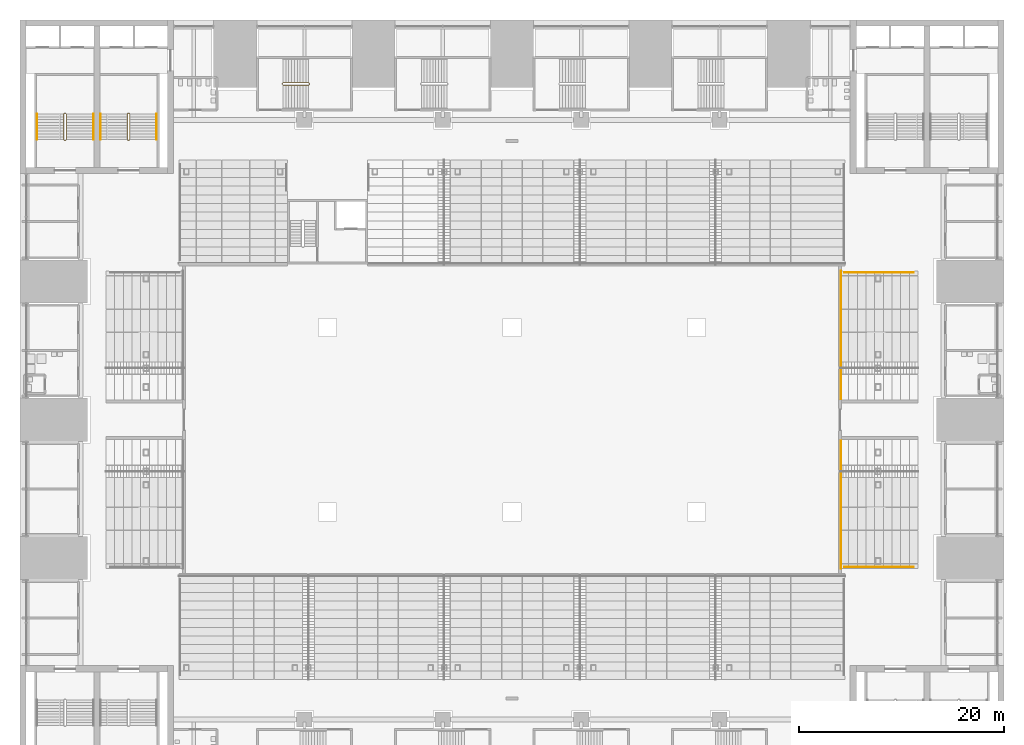
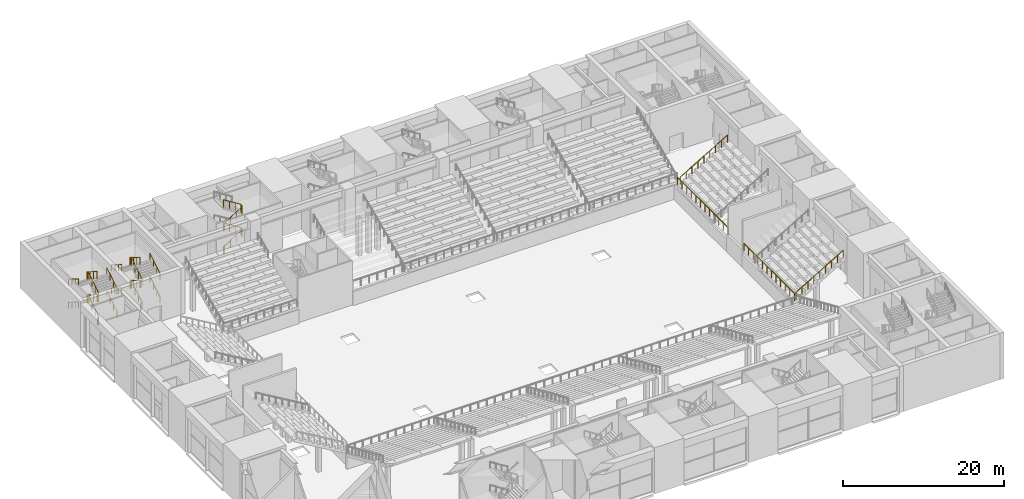
# One storey, part 59 of 62: 6 railings.
"""IFC4 building model written with IfcOpenShell, lengths in metres."""

from ifc_helpers import new_model, si_unit, direction, frame, origin, origin_2d, place, context, subcontext, project, spatial, circle, extrude, material, type_object, element, save


model = new_model("IFC4")

# Units and contexts
model_context = context("Model", 3, precision=1e-05, world=origin(), true_north=direction((0.0, 1.0)))
body_context = subcontext(model_context, "Body", "Model", "MODEL_VIEW")
ifc_project = project(units=[si_unit("LENGTHUNIT", "METRE"), si_unit("AREAUNIT", "SQUARE_METRE"), si_unit("VOLUMEUNIT", "CUBIC_METRE"), si_unit("PLANEANGLEUNIT", "RADIAN"), si_unit("MASSUNIT", "GRAM", prefix="KILO")], contexts=[model_context])

# Site, building, storey
site_placement = place(None, origin())
site = spatial("IfcSite", under=ifc_project, at=site_placement, CompositionType="ELEMENT")
building_placement = place(site_placement, origin())
building = spatial("IfcBuilding", under=site, at=building_placement, Name="Corbelhall Arena Tower", CompositionType="ELEMENT")
storey_placement = place(building_placement, frame((0.0, 0.0, 12.0)))
storey = spatial("IfcBuildingStorey", under=building, at=storey_placement, Name="L01", CompositionType="ELEMENT", Elevation=12.0)

# Railings
ifc_material_1 = material(Name="Stainless steel A4 and laminated glass", Category="steel")
railing_type_1 = type_object("IfcRailingType", Name="AR-GUARD-GLASS", PredefinedType="GUARDRAIL", material=ifc_material_1)
railing_1_placement = place(storey_placement, frame((32.10009765625, -14.5, 2.5)))
element("IfcRailing", 1, at=railing_1_placement, inside=storey, type_object=railing_type_1, Name="Tier guards LE", PredefinedType="GUARDRAIL", context=body_context, shape_type="SweptSolid", body=[
    extrude(circle(Radius=0.02392578125, at=origin_2d()), frame((0.0, 0.0, 1.076171875), z_axis=(0.0, 1.0, 0.0), x_axis=(-1.0, 0.0, 0.0)), (0.0, 0.0, 1.0), 12.489990234375),
    extrude(circle(Radius=0.02392578125, at=origin_2d()), frame((0.0, 16.510009765625, 1.076171875), z_axis=(0.0, 1.0, 0.0), x_axis=(-1.0, 0.0, 0.0)), (0.0, 0.0, 1.0), 12.489990234375),
    extrude(circle(Radius=0.02392578125, at=origin_2d()), frame((0.322509765625, 0.1201171875, 1.076171875), z_axis=(0.860614493438, 0.0, 0.509257001606), x_axis=(0.0, 1.0, 0.0)), (0.0, 0.0, 1.0), 0.98193359375),
    extrude(circle(Radius=0.02392578125, at=origin_2d()), frame((1.16748046875, 0.1201171875, 1.576171875), z_axis=(0.860614493438, 0.0, 0.509257001606), x_axis=(0.0, 1.0, 0.0)), (0.0, 0.0, 1.0), 0.98193359375),
    extrude(circle(Radius=0.02392578125, at=origin_2d()), frame((2.012451171875, 0.1201171875, 2.076171875), z_axis=(0.860614493438, 0.0, 0.509257001606), x_axis=(0.0, 1.0, 0.0)), (0.0, 0.0, 1.0), 0.98193359375),
    extrude(circle(Radius=0.02392578125, at=origin_2d()), frame((2.857421875, 0.1201171875, 2.576171875), z_axis=(0.860614493438, 0.0, 0.509257001606), x_axis=(0.0, 1.0, 0.0)), (0.0, 0.0, 1.0), 0.98193359375),
    extrude(circle(Radius=0.02392578125, at=origin_2d()), frame((3.702392578125, 0.1201171875, 3.076171875), z_axis=(0.860614493438, 0.0, 0.509257001606), x_axis=(0.0, 1.0, 0.0)), (0.0, 0.0, 1.0), 0.98193359375),
    extrude(circle(Radius=0.02392578125, at=origin_2d()), frame((4.54736328125, 0.1201171875, 3.576171875), z_axis=(0.860614493438, 0.0, 0.509257001606), x_axis=(0.0, 1.0, 0.0)), (0.0, 0.0, 1.0), 0.98193359375),
    extrude(circle(Radius=0.02392578125, at=origin_2d()), frame((5.392333984375, 0.1201171875, 4.076171875), z_axis=(0.860614493438, 0.0, 0.509257001606), x_axis=(0.0, 1.0, 0.0)), (0.0, 0.0, 1.0), 0.98193359375),
    extrude(circle(Radius=0.02392578125, at=origin_2d()), frame((6.2373046875, 0.1201171875, 4.576171875), z_axis=(0.860678961064, 0.0, 0.509148039358), x_axis=(0.0, 1.0, 0.0)), (0.0, 0.0, 1.0), 0.98193359375),
    extrude(circle(Radius=0.02392578125, at=origin_2d()), frame((0.322509765625, 28.8798828125, 1.076171875), z_axis=(0.860614493438, 0.0, 0.509257001606), x_axis=(0.0, 1.0, 0.0)), (0.0, 0.0, 1.0), 0.98193359375),
    extrude(circle(Radius=0.02392578125, at=origin_2d()), frame((1.16748046875, 28.8798828125, 1.576171875), z_axis=(0.860614493438, 0.0, 0.509257001606), x_axis=(0.0, 1.0, 0.0)), (0.0, 0.0, 1.0), 0.98193359375),
    extrude(circle(Radius=0.02392578125, at=origin_2d()), frame((2.012451171875, 28.8798828125, 2.076171875), z_axis=(0.860614493438, 0.0, 0.509257001606), x_axis=(0.0, 1.0, 0.0)), (0.0, 0.0, 1.0), 0.98193359375),
    extrude(circle(Radius=0.02392578125, at=origin_2d()), frame((2.857421875, 28.8798828125, 2.576171875), z_axis=(0.860614493438, 0.0, 0.509257001606), x_axis=(0.0, 1.0, 0.0)), (0.0, 0.0, 1.0), 0.98193359375),
    extrude(circle(Radius=0.02392578125, at=origin_2d()), frame((3.702392578125, 28.8798828125, 3.076171875), z_axis=(0.860614493438, 0.0, 0.509257001606), x_axis=(0.0, 1.0, 0.0)), (0.0, 0.0, 1.0), 0.98193359375),
    extrude(circle(Radius=0.02392578125, at=origin_2d()), frame((4.54736328125, 28.8798828125, 3.576171875), z_axis=(0.860614493438, 0.0, 0.509257001606), x_axis=(0.0, 1.0, 0.0)), (0.0, 0.0, 1.0), 0.98193359375),
    extrude(circle(Radius=0.02392578125, at=origin_2d()), frame((5.392333984375, 28.8798828125, 4.076171875), z_axis=(0.860614493438, 0.0, 0.509257001606), x_axis=(0.0, 1.0, 0.0)), (0.0, 0.0, 1.0), 0.98193359375),
    extrude(circle(Radius=0.02392578125, at=origin_2d()), frame((6.2373046875, 28.8798828125, 4.576171875), z_axis=(0.860678961064, 0.0, 0.509148039358), x_axis=(0.0, 1.0, 0.0)), (0.0, 0.0, 1.0), 0.98193359375),
    extrude(circle(Radius=0.02099609375, at=origin_2d()), origin(), (0.0, 0.0, 1.0), 1.052001953125),
    extrude(circle(Radius=0.02099609375, at=origin_2d()), frame((0.0, 1.135498046875, 0.0)), (0.0, 0.0, 1.0), 1.052001953125),
    extrude(circle(Radius=0.02099609375, at=origin_2d()), frame((0.0, 2.27099609375, 0.0)), (0.0, 0.0, 1.0), 1.052001953125),
    extrude(circle(Radius=0.02099609375, at=origin_2d()), frame((0.0, 3.40625, 0.0)), (0.0, 0.0, 1.0), 1.052001953125),
    extrude(circle(Radius=0.02099609375, at=origin_2d()), frame((0.0, 4.541748046875, 0.0)), (0.0, 0.0, 1.0), 1.052001953125),
    extrude(circle(Radius=0.02099609375, at=origin_2d()), frame((0.0, 5.67724609375, 0.0)), (0.0, 0.0, 1.0), 1.052001953125),
    extrude(circle(Radius=0.02099609375, at=origin_2d()), frame((0.0, 6.812744140625, 0.0)), (0.0, 0.0, 1.0), 1.052001953125),
    extrude(circle(Radius=0.02099609375, at=origin_2d()), frame((0.0, 7.9482421875, 0.0)), (0.0, 0.0, 1.0), 1.052001953125),
    extrude(circle(Radius=0.02099609375, at=origin_2d()), frame((0.0, 9.083740234375, 0.0)), (0.0, 0.0, 1.0), 1.052001953125),
    extrude(circle(Radius=0.02099609375, at=origin_2d()), frame((0.0, 10.218994140625, 0.0)), (0.0, 0.0, 1.0), 1.052001953125),
    extrude(circle(Radius=0.02099609375, at=origin_2d()), frame((0.0, 11.3544921875, 0.0)), (0.0, 0.0, 1.0), 1.052001953125),
    extrude(circle(Radius=0.02099609375, at=origin_2d()), frame((0.0, 12.489990234375, 0.0)), (0.0, 0.0, 1.0), 1.052001953125),
    extrude(circle(Radius=0.02099609375, at=origin_2d()), frame((0.0, 16.510009765625, 0.0)), (0.0, 0.0, 1.0), 1.052001953125),
    extrude(circle(Radius=0.02099609375, at=origin_2d()), frame((0.0, 17.6455078125, 0.0)), (0.0, 0.0, 1.0), 1.052001953125),
    extrude(circle(Radius=0.02099609375, at=origin_2d()), frame((0.0, 18.781005859375, 0.0)), (0.0, 0.0, 1.0), 1.052001953125),
    extrude(circle(Radius=0.02099609375, at=origin_2d()), frame((0.0, 19.916259765625, 0.0)), (0.0, 0.0, 1.0), 1.052001953125),
    extrude(circle(Radius=0.02099609375, at=origin_2d()), frame((0.0, 21.0517578125, 0.0)), (0.0, 0.0, 1.0), 1.052001953125),
    extrude(circle(Radius=0.02099609375, at=origin_2d()), frame((0.0, 22.187255859375, 0.0)), (0.0, 0.0, 1.0), 1.052001953125),
    extrude(circle(Radius=0.02099609375, at=origin_2d()), frame((0.0, 23.32275390625, 0.0)), (0.0, 0.0, 1.0), 1.052001953125),
    extrude(circle(Radius=0.02099609375, at=origin_2d()), frame((0.0, 24.458251953125, 0.0)), (0.0, 0.0, 1.0), 1.052001953125),
    extrude(circle(Radius=0.02099609375, at=origin_2d()), frame((0.0, 25.59375, 0.0)), (0.0, 0.0, 1.0), 1.052001953125),
    extrude(circle(Radius=0.02099609375, at=origin_2d()), frame((0.0, 26.72900390625, 0.0)), (0.0, 0.0, 1.0), 1.052001953125),
    extrude(circle(Radius=0.02099609375, at=origin_2d()), frame((0.0, 27.864501953125, 0.0)), (0.0, 0.0, 1.0), 1.052001953125),
    extrude(circle(Radius=0.02099609375, at=origin_2d()), frame((0.0, 29.0, 0.0)), (0.0, 0.0, 1.0), 1.052001953125),
    extrude(circle(Radius=0.02099609375, at=origin_2d()), frame((0.322509765625, 0.1201171875, 0.0)), (0.0, 0.0, 1.0), 1.052001953125),
    extrude(circle(Radius=0.02099609375, at=origin_2d()), frame((1.16748046875, 0.1201171875, 0.5)), (0.0, 0.0, 1.0), 1.052001953125),
    extrude(circle(Radius=0.02099609375, at=origin_2d()), frame((2.012451171875, 0.1201171875, 1.0)), (0.0, 0.0, 1.0), 1.052001953125),
    extrude(circle(Radius=0.02099609375, at=origin_2d()), frame((2.857421875, 0.1201171875, 1.5)), (0.0, 0.0, 1.0), 1.052001953125),
    extrude(circle(Radius=0.02099609375, at=origin_2d()), frame((3.702392578125, 0.1201171875, 2.0)), (0.0, 0.0, 1.0), 1.052001953125),
    extrude(circle(Radius=0.02099609375, at=origin_2d()), frame((4.54736328125, 0.1201171875, 2.5)), (0.0, 0.0, 1.0), 1.052001953125),
    extrude(circle(Radius=0.02099609375, at=origin_2d()), frame((5.392333984375, 0.1201171875, 3.0)), (0.0, 0.0, 1.0), 1.052001953125),
    extrude(circle(Radius=0.02099609375, at=origin_2d()), frame((6.2373046875, 0.1201171875, 3.5)), (0.0, 0.0, 1.0), 1.052001953125),
    extrude(circle(Radius=0.02099609375, at=origin_2d()), frame((7.08251953125, 0.1201171875, 4.0)), (0.0, 0.0, 1.0), 1.052001953125),
    extrude(circle(Radius=0.02099609375, at=origin_2d()), frame((0.322509765625, 28.8798828125, 0.0)), (0.0, 0.0, 1.0), 1.052001953125),
    extrude(circle(Radius=0.02099609375, at=origin_2d()), frame((1.16748046875, 28.8798828125, 0.5)), (0.0, 0.0, 1.0), 1.052001953125),
    extrude(circle(Radius=0.02099609375, at=origin_2d()), frame((2.012451171875, 28.8798828125, 1.0)), (0.0, 0.0, 1.0), 1.052001953125),
    extrude(circle(Radius=0.02099609375, at=origin_2d()), frame((2.857421875, 28.8798828125, 1.5)), (0.0, 0.0, 1.0), 1.052001953125),
    extrude(circle(Radius=0.02099609375, at=origin_2d()), frame((3.702392578125, 28.8798828125, 2.0)), (0.0, 0.0, 1.0), 1.052001953125),
    extrude(circle(Radius=0.02099609375, at=origin_2d()), frame((4.54736328125, 28.8798828125, 2.5)), (0.0, 0.0, 1.0), 1.052001953125),
    extrude(circle(Radius=0.02099609375, at=origin_2d()), frame((5.392333984375, 28.8798828125, 3.0)), (0.0, 0.0, 1.0), 1.052001953125),
    extrude(circle(Radius=0.02099609375, at=origin_2d()), frame((6.2373046875, 28.8798828125, 3.5)), (0.0, 0.0, 1.0), 1.052001953125),
    extrude(circle(Radius=0.02099609375, at=origin_2d()), frame((7.08251953125, 28.8798828125, 4.0)), (0.0, 0.0, 1.0), 1.052001953125),
])
ifc_material_2 = material(Name="Stainless steel A4", Category="steel")
railing_type_2 = type_object("IfcRailingType", Name="AR-STAIR-GUARD", PredefinedType="GUARDRAIL", material=ifc_material_2)
railing_2_placement = place(storey_placement, frame((-22.35009765625, 32.64990234375, 0.175048828125)))
element("IfcRailing", 2, at=railing_2_placement, inside=storey, type_object=railing_type_2, Name="L01 AS9 stair guards", PredefinedType="GUARDRAIL", context=body_context, shape_type="SweptSolid", body=[
    extrude(circle(Radius=0.02392578125, at=origin_2d()), frame((0.0, 0.0, 1.076171875), z_axis=(0.848007534815, 0.0, 0.529984170421), x_axis=(0.0, 1.0, 0.0)), (0.0, 0.0, 1.0), 2.9716796875),
    extrude(circle(Radius=0.02392578125, at=origin_2d()), frame((2.570068359375, 0.050048828125, 2.65087890625), z_axis=(0.0, 1.0, 0.0), x_axis=(-1.0, 0.0, 0.0)), (0.0, 0.0, 1.0), 0.150146484375),
    extrude(circle(Radius=0.02392578125, at=origin_2d()), frame((2.52001953125, 0.25, 2.826171875), z_axis=(-0.848007534815, 0.0, 0.529984170421), x_axis=(0.0, -1.0, 0.0)), (0.0, 0.0, 1.0), 2.9716796875),
    extrude(circle(Radius=0.02392578125, at=origin_2d()), frame((-0.0498046875, 0.050048828125, 4.40087890625), z_axis=(0.0, 1.0, 0.0), x_axis=(-1.0, 0.0, 0.0)), (0.0, 0.0, 1.0), 0.150146484375),
    extrude(circle(Radius=0.02392578125, at=origin_2d()), frame((0.0, 0.0, 4.576171875), z_axis=(0.848007534815, 0.0, 0.529984170421), x_axis=(0.0, 1.0, 0.0)), (0.0, 0.0, 1.0), 2.9716796875),
    extrude(circle(Radius=0.02392578125, at=origin_2d()), frame((2.570068359375, 0.050048828125, 6.15087890625), z_axis=(0.0, 1.0, 0.0), x_axis=(-1.0, 0.0, 0.0)), (0.0, 0.0, 1.0), 0.150146484375),
    extrude(circle(Radius=0.02392578125, at=origin_2d()), frame((2.52001953125, 0.25, 6.326171875), z_axis=(-0.848007534815, 0.0, 0.529984170421), x_axis=(0.0, -1.0, 0.0)), (0.0, 0.0, 1.0), 2.9716796875),
    extrude(circle(Radius=0.02392578125, at=origin_2d()), frame((-0.0498046875, 0.050048828125, 0.90087890625), z_axis=(0.0, 1.0, 0.0), x_axis=(-1.0, 0.0, 0.0)), (0.0, 0.0, 1.0), 0.150146484375),
    extrude(circle(Radius=0.02099609375, at=origin_2d()), origin(), (0.0, 0.0, 1.0), 1.052001953125),
    extrude(circle(Radius=0.02099609375, at=origin_2d()), frame((0.840087890625, 0.0, 0.52490234375)), (0.0, 0.0, 1.0), 1.052001953125),
    extrude(circle(Radius=0.02099609375, at=origin_2d()), frame((1.679931640625, 0.0, 1.050048828125)), (0.0, 0.0, 1.0), 1.052001953125),
    extrude(circle(Radius=0.02099609375, at=origin_2d()), frame((2.52001953125, 0.0, 1.574951171875)), (0.0, 0.0, 1.0), 1.052001953125),
    extrude(circle(Radius=0.02099609375, at=origin_2d()), frame((2.570068359375, 0.050048828125, 1.574951171875)), (0.0, 0.0, 1.0), 1.052001953125),
    extrude(circle(Radius=0.02099609375, at=origin_2d()), frame((2.570068359375, 0.2001953125, 1.574951171875)), (0.0, 0.0, 1.0), 1.052001953125),
    extrude(circle(Radius=0.02099609375, at=origin_2d()), frame((2.52001953125, 0.25, 1.75)), (0.0, 0.0, 1.0), 1.052001953125),
    extrude(circle(Radius=0.02099609375, at=origin_2d()), frame((1.679931640625, 0.25, 2.27490234375)), (0.0, 0.0, 1.0), 1.052001953125),
    extrude(circle(Radius=0.02099609375, at=origin_2d()), frame((0.840087890625, 0.25, 2.800048828125)), (0.0, 0.0, 1.0), 1.052001953125),
    extrude(circle(Radius=0.02099609375, at=origin_2d()), frame((0.0, 0.25, 3.324951171875)), (0.0, 0.0, 1.0), 1.052001953125),
    extrude(circle(Radius=0.02099609375, at=origin_2d()), frame((-0.0498046875, 0.050048828125, 3.324951171875)), (0.0, 0.0, 1.0), 1.052001953125),
    extrude(circle(Radius=0.02099609375, at=origin_2d()), frame((-0.0498046875, 0.2001953125, 3.324951171875)), (0.0, 0.0, 1.0), 1.052001953125),
    extrude(circle(Radius=0.02099609375, at=origin_2d()), frame((0.0, 0.0, 3.5)), (0.0, 0.0, 1.0), 1.052001953125),
    extrude(circle(Radius=0.02099609375, at=origin_2d()), frame((0.840087890625, 0.0, 4.02490234375)), (0.0, 0.0, 1.0), 1.052001953125),
    extrude(circle(Radius=0.02099609375, at=origin_2d()), frame((1.679931640625, 0.0, 4.550048828125)), (0.0, 0.0, 1.0), 1.052001953125),
    extrude(circle(Radius=0.02099609375, at=origin_2d()), frame((2.52001953125, 0.0, 5.074951171875)), (0.0, 0.0, 1.0), 1.052001953125),
    extrude(circle(Radius=0.02099609375, at=origin_2d()), frame((2.570068359375, 0.050048828125, 5.074951171875)), (0.0, 0.0, 1.0), 1.052001953125),
    extrude(circle(Radius=0.02099609375, at=origin_2d()), frame((2.570068359375, 0.2001953125, 5.074951171875)), (0.0, 0.0, 1.0), 1.052001953125),
    extrude(circle(Radius=0.02099609375, at=origin_2d()), frame((2.52001953125, 0.25, 5.25)), (0.0, 0.0, 1.0), 1.052001953125),
    extrude(circle(Radius=0.02099609375, at=origin_2d()), frame((1.679931640625, 0.25, 5.77490234375)), (0.0, 0.0, 1.0), 1.052001953125),
    extrude(circle(Radius=0.02099609375, at=origin_2d()), frame((0.840087890625, 0.25, 6.300048828125)), (0.0, 0.0, 1.0), 1.052001953125),
    extrude(circle(Radius=0.02099609375, at=origin_2d()), frame((0.0, 0.25, 6.824951171875)), (0.0, 0.0, 1.0), 1.052001953125),
    extrude(circle(Radius=0.02099609375, at=origin_2d()), frame((-0.0498046875, 0.050048828125, -0.175048828125)), (0.0, 0.0, 1.0), 1.052001953125),
    extrude(circle(Radius=0.02099609375, at=origin_2d()), frame((-0.0498046875, 0.2001953125, -0.175048828125)), (0.0, 0.0, 1.0), 1.052001953125),
])
railing_3_placement = place(storey_placement, frame((-37.280029296875, 27.320068359375, 0.175048828125)))
element("IfcRailing", 3, at=railing_3_placement, inside=storey, type_object=railing_type_2, Name="L01 AS3 stair guards", PredefinedType="GUARDRAIL", context=body_context, shape_type="SweptSolid", body=[
    extrude(circle(Radius=0.02392578125, at=origin_2d()), frame((0.0, 0.0, 1.076171875), z_axis=(0.0, 0.848007534815, 0.529984170421), x_axis=(-1.0, 0.0, 0.0)), (0.0, 0.0, 1.0), 2.9716796875),
    extrude(circle(Radius=0.02392578125, at=origin_2d()), frame((-0.050048828125, 2.56982421875, 2.65087890625), z_axis=(-1.0, 0.0, 0.0), x_axis=(0.0, -1.0, 0.0)), (0.0, 0.0, 1.0), 0.14990234375),
    extrude(circle(Radius=0.02392578125, at=origin_2d()), frame((-0.25, 2.52001953125, 2.826171875), z_axis=(0.0, -0.848007534815, 0.529984170421), x_axis=(1.0, 0.0, 0.0)), (0.0, 0.0, 1.0), 2.9716796875),
    extrude(circle(Radius=0.02392578125, at=origin_2d()), frame((-0.050048828125, -0.050048828125, 4.40087890625), z_axis=(-1.0, 0.0, 0.0), x_axis=(0.0, -1.0, 0.0)), (0.0, 0.0, 1.0), 0.14990234375),
    extrude(circle(Radius=0.02392578125, at=origin_2d()), frame((0.0, 0.0, 4.576171875), z_axis=(0.0, 0.848007534815, 0.529984170421), x_axis=(-1.0, 0.0, 0.0)), (0.0, 0.0, 1.0), 2.9716796875),
    extrude(circle(Radius=0.02392578125, at=origin_2d()), frame((-0.050048828125, 2.56982421875, 6.15087890625), z_axis=(-1.0, 0.0, 0.0), x_axis=(0.0, -1.0, 0.0)), (0.0, 0.0, 1.0), 0.14990234375),
    extrude(circle(Radius=0.02392578125, at=origin_2d()), frame((-0.25, 2.52001953125, 6.326171875), z_axis=(0.0, -0.848007534815, 0.529984170421), x_axis=(1.0, 0.0, 0.0)), (0.0, 0.0, 1.0), 2.9716796875),
    extrude(circle(Radius=0.02392578125, at=origin_2d()), frame((-0.050048828125, -0.050048828125, 0.90087890625), z_axis=(-1.0, 0.0, 0.0), x_axis=(0.0, -1.0, 0.0)), (0.0, 0.0, 1.0), 0.14990234375),
    extrude(circle(Radius=0.02099609375, at=origin_2d()), origin(), (0.0, 0.0, 1.0), 1.052001953125),
    extrude(circle(Radius=0.02099609375, at=origin_2d()), frame((0.0, 0.840087890625, 0.52490234375)), (0.0, 0.0, 1.0), 1.052001953125),
    extrude(circle(Radius=0.02099609375, at=origin_2d()), frame((0.0, 1.679931640625, 1.050048828125)), (0.0, 0.0, 1.0), 1.052001953125),
    extrude(circle(Radius=0.02099609375, at=origin_2d()), frame((0.0, 2.52001953125, 1.574951171875)), (0.0, 0.0, 1.0), 1.052001953125),
    extrude(circle(Radius=0.02099609375, at=origin_2d()), frame((-0.050048828125, 2.56982421875, 1.574951171875)), (0.0, 0.0, 1.0), 1.052001953125),
    extrude(circle(Radius=0.02099609375, at=origin_2d()), frame((-0.199951171875, 2.56982421875, 1.574951171875)), (0.0, 0.0, 1.0), 1.052001953125),
    extrude(circle(Radius=0.02099609375, at=origin_2d()), frame((-0.25, 2.52001953125, 1.75)), (0.0, 0.0, 1.0), 1.052001953125),
    extrude(circle(Radius=0.02099609375, at=origin_2d()), frame((-0.25, 1.679931640625, 2.27490234375)), (0.0, 0.0, 1.0), 1.052001953125),
    extrude(circle(Radius=0.02099609375, at=origin_2d()), frame((-0.25, 0.840087890625, 2.800048828125)), (0.0, 0.0, 1.0), 1.052001953125),
    extrude(circle(Radius=0.02099609375, at=origin_2d()), frame((-0.25, 0.0, 3.324951171875)), (0.0, 0.0, 1.0), 1.052001953125),
    extrude(circle(Radius=0.02099609375, at=origin_2d()), frame((-0.050048828125, -0.050048828125, 3.324951171875)), (0.0, 0.0, 1.0), 1.052001953125),
    extrude(circle(Radius=0.02099609375, at=origin_2d()), frame((-0.199951171875, -0.050048828125, 3.324951171875)), (0.0, 0.0, 1.0), 1.052001953125),
    extrude(circle(Radius=0.02099609375, at=origin_2d()), frame((0.0, 0.0, 3.5)), (0.0, 0.0, 1.0), 1.052001953125),
    extrude(circle(Radius=0.02099609375, at=origin_2d()), frame((0.0, 0.840087890625, 4.02490234375)), (0.0, 0.0, 1.0), 1.052001953125),
    extrude(circle(Radius=0.02099609375, at=origin_2d()), frame((0.0, 1.679931640625, 4.550048828125)), (0.0, 0.0, 1.0), 1.052001953125),
    extrude(circle(Radius=0.02099609375, at=origin_2d()), frame((0.0, 2.52001953125, 5.074951171875)), (0.0, 0.0, 1.0), 1.052001953125),
    extrude(circle(Radius=0.02099609375, at=origin_2d()), frame((-0.050048828125, 2.56982421875, 5.074951171875)), (0.0, 0.0, 1.0), 1.052001953125),
    extrude(circle(Radius=0.02099609375, at=origin_2d()), frame((-0.199951171875, 2.56982421875, 5.074951171875)), (0.0, 0.0, 1.0), 1.052001953125),
    extrude(circle(Radius=0.02099609375, at=origin_2d()), frame((-0.25, 2.52001953125, 5.25)), (0.0, 0.0, 1.0), 1.052001953125),
    extrude(circle(Radius=0.02099609375, at=origin_2d()), frame((-0.25, 1.679931640625, 5.77490234375)), (0.0, 0.0, 1.0), 1.052001953125),
    extrude(circle(Radius=0.02099609375, at=origin_2d()), frame((-0.25, 0.840087890625, 6.300048828125)), (0.0, 0.0, 1.0), 1.052001953125),
    extrude(circle(Radius=0.02099609375, at=origin_2d()), frame((-0.25, 0.0, 6.824951171875)), (0.0, 0.0, 1.0), 1.052001953125),
    extrude(circle(Radius=0.02099609375, at=origin_2d()), frame((-0.050048828125, -0.050048828125, -0.175048828125)), (0.0, 0.0, 1.0), 1.052001953125),
    extrude(circle(Radius=0.02099609375, at=origin_2d()), frame((-0.199951171875, -0.050048828125, -0.175048828125)), (0.0, 0.0, 1.0), 1.052001953125),
])
railing_4_placement = place(storey_placement, frame((-43.469970703125, 27.320068359375, 0.175048828125)))
element("IfcRailing", 4, at=railing_4_placement, inside=storey, type_object=railing_type_2, Name="L01 AS4 stair guards", PredefinedType="GUARDRAIL", context=body_context, shape_type="SweptSolid", body=[
    extrude(circle(Radius=0.02392578125, at=origin_2d()), frame((0.0, 0.0, 1.076171875), z_axis=(0.0, 0.848007534815, 0.529984170421), x_axis=(-1.0, 0.0, 0.0)), (0.0, 0.0, 1.0), 2.9716796875),
    extrude(circle(Radius=0.02392578125, at=origin_2d()), frame((-0.050048828125, 2.56982421875, 2.65087890625), z_axis=(-1.0, 0.0, 0.0), x_axis=(0.0, -1.0, 0.0)), (0.0, 0.0, 1.0), 0.14990234375),
    extrude(circle(Radius=0.02392578125, at=origin_2d()), frame((-0.25, 2.52001953125, 2.826171875), z_axis=(0.0, -0.848007534815, 0.529984170421), x_axis=(1.0, 0.0, 0.0)), (0.0, 0.0, 1.0), 2.9716796875),
    extrude(circle(Radius=0.02392578125, at=origin_2d()), frame((-0.050048828125, -0.050048828125, 4.40087890625), z_axis=(-1.0, 0.0, 0.0), x_axis=(0.0, -1.0, 0.0)), (0.0, 0.0, 1.0), 0.14990234375),
    extrude(circle(Radius=0.02392578125, at=origin_2d()), frame((0.0, 0.0, 4.576171875), z_axis=(0.0, 0.848007534815, 0.529984170421), x_axis=(-1.0, 0.0, 0.0)), (0.0, 0.0, 1.0), 2.9716796875),
    extrude(circle(Radius=0.02392578125, at=origin_2d()), frame((-0.050048828125, 2.56982421875, 6.15087890625), z_axis=(-1.0, 0.0, 0.0), x_axis=(0.0, -1.0, 0.0)), (0.0, 0.0, 1.0), 0.14990234375),
    extrude(circle(Radius=0.02392578125, at=origin_2d()), frame((-0.25, 2.52001953125, 6.326171875), z_axis=(0.0, -0.848007534815, 0.529984170421), x_axis=(1.0, 0.0, 0.0)), (0.0, 0.0, 1.0), 2.9716796875),
    extrude(circle(Radius=0.02392578125, at=origin_2d()), frame((-0.050048828125, -0.050048828125, 0.90087890625), z_axis=(-1.0, 0.0, 0.0), x_axis=(0.0, -1.0, 0.0)), (0.0, 0.0, 1.0), 0.14990234375),
    extrude(circle(Radius=0.02099609375, at=origin_2d()), origin(), (0.0, 0.0, 1.0), 1.052001953125),
    extrude(circle(Radius=0.02099609375, at=origin_2d()), frame((0.0, 0.840087890625, 0.52490234375)), (0.0, 0.0, 1.0), 1.052001953125),
    extrude(circle(Radius=0.02099609375, at=origin_2d()), frame((0.0, 1.679931640625, 1.050048828125)), (0.0, 0.0, 1.0), 1.052001953125),
    extrude(circle(Radius=0.02099609375, at=origin_2d()), frame((0.0, 2.52001953125, 1.574951171875)), (0.0, 0.0, 1.0), 1.052001953125),
    extrude(circle(Radius=0.02099609375, at=origin_2d()), frame((-0.050048828125, 2.56982421875, 1.574951171875)), (0.0, 0.0, 1.0), 1.052001953125),
    extrude(circle(Radius=0.02099609375, at=origin_2d()), frame((-0.199951171875, 2.56982421875, 1.574951171875)), (0.0, 0.0, 1.0), 1.052001953125),
    extrude(circle(Radius=0.02099609375, at=origin_2d()), frame((-0.25, 2.52001953125, 1.75)), (0.0, 0.0, 1.0), 1.052001953125),
    extrude(circle(Radius=0.02099609375, at=origin_2d()), frame((-0.25, 1.679931640625, 2.27490234375)), (0.0, 0.0, 1.0), 1.052001953125),
    extrude(circle(Radius=0.02099609375, at=origin_2d()), frame((-0.25, 0.840087890625, 2.800048828125)), (0.0, 0.0, 1.0), 1.052001953125),
    extrude(circle(Radius=0.02099609375, at=origin_2d()), frame((-0.25, 0.0, 3.324951171875)), (0.0, 0.0, 1.0), 1.052001953125),
    extrude(circle(Radius=0.02099609375, at=origin_2d()), frame((-0.050048828125, -0.050048828125, 3.324951171875)), (0.0, 0.0, 1.0), 1.052001953125),
    extrude(circle(Radius=0.02099609375, at=origin_2d()), frame((-0.199951171875, -0.050048828125, 3.324951171875)), (0.0, 0.0, 1.0), 1.052001953125),
    extrude(circle(Radius=0.02099609375, at=origin_2d()), frame((0.0, 0.0, 3.5)), (0.0, 0.0, 1.0), 1.052001953125),
    extrude(circle(Radius=0.02099609375, at=origin_2d()), frame((0.0, 0.840087890625, 4.02490234375)), (0.0, 0.0, 1.0), 1.052001953125),
    extrude(circle(Radius=0.02099609375, at=origin_2d()), frame((0.0, 1.679931640625, 4.550048828125)), (0.0, 0.0, 1.0), 1.052001953125),
    extrude(circle(Radius=0.02099609375, at=origin_2d()), frame((0.0, 2.52001953125, 5.074951171875)), (0.0, 0.0, 1.0), 1.052001953125),
    extrude(circle(Radius=0.02099609375, at=origin_2d()), frame((-0.050048828125, 2.56982421875, 5.074951171875)), (0.0, 0.0, 1.0), 1.052001953125),
    extrude(circle(Radius=0.02099609375, at=origin_2d()), frame((-0.199951171875, 2.56982421875, 5.074951171875)), (0.0, 0.0, 1.0), 1.052001953125),
    extrude(circle(Radius=0.02099609375, at=origin_2d()), frame((-0.25, 2.52001953125, 5.25)), (0.0, 0.0, 1.0), 1.052001953125),
    extrude(circle(Radius=0.02099609375, at=origin_2d()), frame((-0.25, 1.679931640625, 5.77490234375)), (0.0, 0.0, 1.0), 1.052001953125),
    extrude(circle(Radius=0.02099609375, at=origin_2d()), frame((-0.25, 0.840087890625, 6.300048828125)), (0.0, 0.0, 1.0), 1.052001953125),
    extrude(circle(Radius=0.02099609375, at=origin_2d()), frame((-0.25, 0.0, 6.824951171875)), (0.0, 0.0, 1.0), 1.052001953125),
    extrude(circle(Radius=0.02099609375, at=origin_2d()), frame((-0.050048828125, -0.050048828125, -0.175048828125)), (0.0, 0.0, 1.0), 1.052001953125),
    extrude(circle(Radius=0.02099609375, at=origin_2d()), frame((-0.199951171875, -0.050048828125, -0.175048828125)), (0.0, 0.0, 1.0), 1.052001953125),
])
railing_type_3 = type_object("IfcRailingType", Name="AR-STAIR-HANDRAIL", PredefinedType="HANDRAIL", material=ifc_material_2)
railing_5_placement = place(storey_placement, frame((-34.659912109375, 27.320068359375, 0.175048828125)))
element("IfcRailing", 5, at=railing_5_placement, inside=storey, type_object=railing_type_3, Name="L01 AS3 stair handrails", PredefinedType="HANDRAIL", context=body_context, shape_type="SweptSolid", body=[
    extrude(circle(Radius=0.02392578125, at=origin_2d()), frame((0.0, 0.0, 0.8759765625), z_axis=(0.0, 0.848007534815, 0.529984170421), x_axis=(-1.0, 0.0, 0.0)), (0.0, 0.0, 1.0), 2.9716796875),
    extrude(circle(Radius=0.02392578125, at=origin_2d()), frame((-5.489990234375, 2.52001953125, 2.6259765625), z_axis=(0.0, -0.848007534815, 0.529984170421), x_axis=(1.0, 0.0, 0.0)), (0.0, 0.0, 1.0), 2.9716796875),
    extrude(circle(Radius=0.02392578125, at=origin_2d()), frame((0.0, 0.0, 4.3759765625), z_axis=(0.0, 0.848007534815, 0.529984170421), x_axis=(-1.0, 0.0, 0.0)), (0.0, 0.0, 1.0), 2.9716796875),
    extrude(circle(Radius=0.02392578125, at=origin_2d()), frame((-5.489990234375, 2.52001953125, 6.1259765625), z_axis=(0.0, -0.848007534815, 0.529984170421), x_axis=(1.0, 0.0, 0.0)), (0.0, 0.0, 1.0), 2.9716796875),
    extrude(circle(Radius=0.02099609375, at=origin_2d()), origin(), (0.0, 0.0, 1.0), 0.851806640625),
    extrude(circle(Radius=0.02099609375, at=origin_2d()), frame((0.0, 0.840087890625, 0.52490234375)), (0.0, 0.0, 1.0), 0.851806640625),
    extrude(circle(Radius=0.02099609375, at=origin_2d()), frame((0.0, 1.679931640625, 1.050048828125)), (0.0, 0.0, 1.0), 0.851806640625),
    extrude(circle(Radius=0.02099609375, at=origin_2d()), frame((0.0, 2.52001953125, 1.574951171875)), (0.0, 0.0, 1.0), 0.851806640625),
    extrude(circle(Radius=0.02099609375, at=origin_2d()), frame((-5.489990234375, 2.52001953125, 1.75)), (0.0, 0.0, 1.0), 0.851806640625),
    extrude(circle(Radius=0.02099609375, at=origin_2d()), frame((-5.489990234375, 1.679931640625, 2.27490234375)), (0.0, 0.0, 1.0), 0.851806640625),
    extrude(circle(Radius=0.02099609375, at=origin_2d()), frame((-5.489990234375, 0.840087890625, 2.800048828125)), (0.0, 0.0, 1.0), 0.851806640625),
    extrude(circle(Radius=0.02099609375, at=origin_2d()), frame((-5.489990234375, 0.0, 3.324951171875)), (0.0, 0.0, 1.0), 0.851806640625),
    extrude(circle(Radius=0.02099609375, at=origin_2d()), frame((0.0, 0.0, 3.5)), (0.0, 0.0, 1.0), 0.851806640625),
    extrude(circle(Radius=0.02099609375, at=origin_2d()), frame((0.0, 0.840087890625, 4.02490234375)), (0.0, 0.0, 1.0), 0.851806640625),
    extrude(circle(Radius=0.02099609375, at=origin_2d()), frame((0.0, 1.679931640625, 4.550048828125)), (0.0, 0.0, 1.0), 0.851806640625),
    extrude(circle(Radius=0.02099609375, at=origin_2d()), frame((0.0, 2.52001953125, 5.074951171875)), (0.0, 0.0, 1.0), 0.851806640625),
    extrude(circle(Radius=0.02099609375, at=origin_2d()), frame((-5.489990234375, 2.52001953125, 5.25)), (0.0, 0.0, 1.0), 0.851806640625),
    extrude(circle(Radius=0.02099609375, at=origin_2d()), frame((-5.489990234375, 1.679931640625, 5.77490234375)), (0.0, 0.0, 1.0), 0.851806640625),
    extrude(circle(Radius=0.02099609375, at=origin_2d()), frame((-5.489990234375, 0.840087890625, 6.300048828125)), (0.0, 0.0, 1.0), 0.851806640625),
    extrude(circle(Radius=0.02099609375, at=origin_2d()), frame((-5.489990234375, 0.0, 6.824951171875)), (0.0, 0.0, 1.0), 0.851806640625),
])
railing_6_placement = place(storey_placement, frame((-40.85009765625, 27.320068359375, 0.175048828125)))
element("IfcRailing", 6, at=railing_6_placement, inside=storey, type_object=railing_type_3, Name="L01 AS4 stair handrails", PredefinedType="HANDRAIL", context=body_context, shape_type="SweptSolid", body=[
    extrude(circle(Radius=0.02392578125, at=origin_2d()), frame((0.0, 0.0, 0.8759765625), z_axis=(0.0, 0.848007534815, 0.529984170421), x_axis=(-1.0, 0.0, 0.0)), (0.0, 0.0, 1.0), 2.9716796875),
    extrude(circle(Radius=0.02392578125, at=origin_2d()), frame((-5.489990234375, 2.52001953125, 2.6259765625), z_axis=(0.0, -0.848007534815, 0.529984170421), x_axis=(1.0, 0.0, 0.0)), (0.0, 0.0, 1.0), 2.9716796875),
    extrude(circle(Radius=0.02392578125, at=origin_2d()), frame((0.0, 0.0, 4.3759765625), z_axis=(0.0, 0.848007534815, 0.529984170421), x_axis=(-1.0, 0.0, 0.0)), (0.0, 0.0, 1.0), 2.9716796875),
    extrude(circle(Radius=0.02392578125, at=origin_2d()), frame((-5.489990234375, 2.52001953125, 6.1259765625), z_axis=(0.0, -0.848007534815, 0.529984170421), x_axis=(1.0, 0.0, 0.0)), (0.0, 0.0, 1.0), 2.9716796875),
    extrude(circle(Radius=0.02099609375, at=origin_2d()), origin(), (0.0, 0.0, 1.0), 0.851806640625),
    extrude(circle(Radius=0.02099609375, at=origin_2d()), frame((0.0, 0.840087890625, 0.52490234375)), (0.0, 0.0, 1.0), 0.851806640625),
    extrude(circle(Radius=0.02099609375, at=origin_2d()), frame((0.0, 1.679931640625, 1.050048828125)), (0.0, 0.0, 1.0), 0.851806640625),
    extrude(circle(Radius=0.02099609375, at=origin_2d()), frame((0.0, 2.52001953125, 1.574951171875)), (0.0, 0.0, 1.0), 0.851806640625),
    extrude(circle(Radius=0.02099609375, at=origin_2d()), frame((-5.489990234375, 2.52001953125, 1.75)), (0.0, 0.0, 1.0), 0.851806640625),
    extrude(circle(Radius=0.02099609375, at=origin_2d()), frame((-5.489990234375, 1.679931640625, 2.27490234375)), (0.0, 0.0, 1.0), 0.851806640625),
    extrude(circle(Radius=0.02099609375, at=origin_2d()), frame((-5.489990234375, 0.840087890625, 2.800048828125)), (0.0, 0.0, 1.0), 0.851806640625),
    extrude(circle(Radius=0.02099609375, at=origin_2d()), frame((-5.489990234375, 0.0, 3.324951171875)), (0.0, 0.0, 1.0), 0.851806640625),
    extrude(circle(Radius=0.02099609375, at=origin_2d()), frame((0.0, 0.0, 3.5)), (0.0, 0.0, 1.0), 0.851806640625),
    extrude(circle(Radius=0.02099609375, at=origin_2d()), frame((0.0, 0.840087890625, 4.02490234375)), (0.0, 0.0, 1.0), 0.851806640625),
    extrude(circle(Radius=0.02099609375, at=origin_2d()), frame((0.0, 1.679931640625, 4.550048828125)), (0.0, 0.0, 1.0), 0.851806640625),
    extrude(circle(Radius=0.02099609375, at=origin_2d()), frame((0.0, 2.52001953125, 5.074951171875)), (0.0, 0.0, 1.0), 0.851806640625),
    extrude(circle(Radius=0.02099609375, at=origin_2d()), frame((-5.489990234375, 2.52001953125, 5.25)), (0.0, 0.0, 1.0), 0.851806640625),
    extrude(circle(Radius=0.02099609375, at=origin_2d()), frame((-5.489990234375, 1.679931640625, 5.77490234375)), (0.0, 0.0, 1.0), 0.851806640625),
    extrude(circle(Radius=0.02099609375, at=origin_2d()), frame((-5.489990234375, 0.840087890625, 6.300048828125)), (0.0, 0.0, 1.0), 0.851806640625),
    extrude(circle(Radius=0.02099609375, at=origin_2d()), frame((-5.489990234375, 0.0, 6.824951171875)), (0.0, 0.0, 1.0), 0.851806640625),
])

save(model, "model.ifc")
